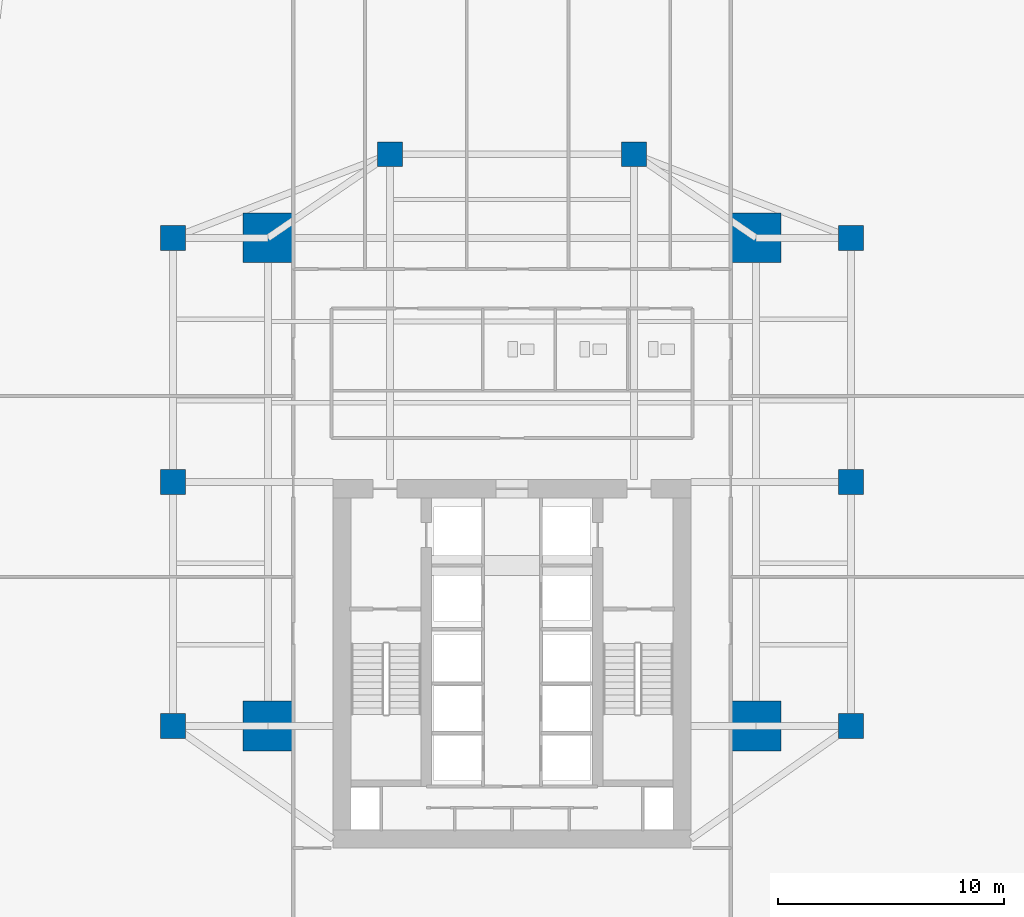
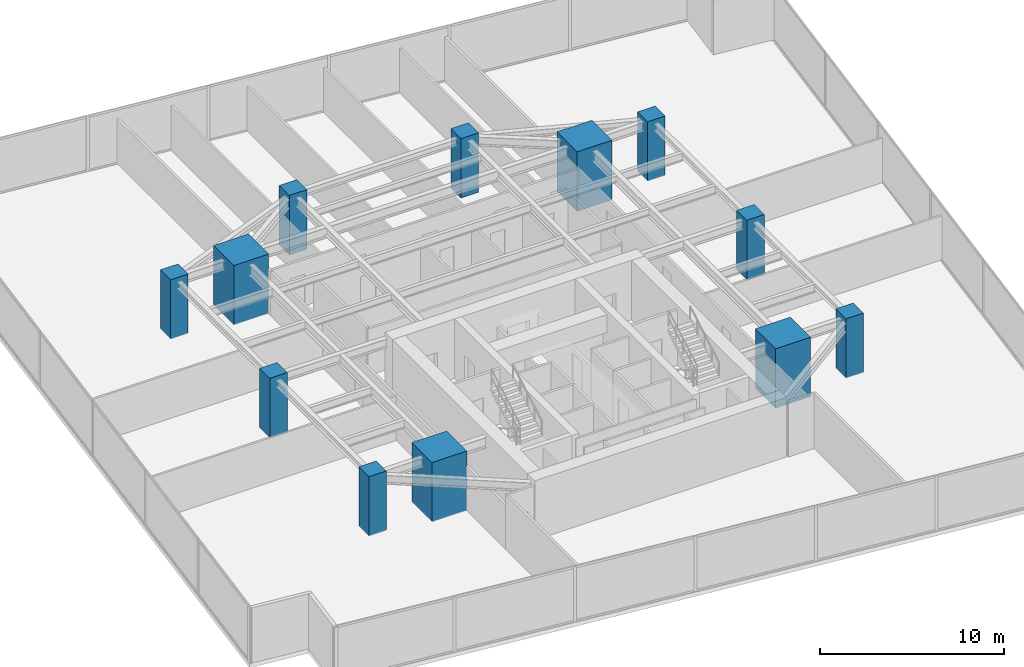
# One storey, part 1 of 31: 12 columns.
"""IFC4 building model written with IfcOpenShell, lengths in metres."""

from ifc_helpers import new_model, si_unit, direction, frame, origin, origin_2d, place, context, subcontext, project, spatial, rectangle, extrude, source, transform, mapped, material, material_profile, profile_set, type_object, type_shapes, element, save


model = new_model("IFC4")

# Units and contexts
model_context = context("Model", 3, precision=1e-05, world=origin(), true_north=direction((0.0, 1.0)))
body_context = subcontext(model_context, "Body", "Model", "MODEL_VIEW")
ifc_project = project(units=[si_unit("LENGTHUNIT", "METRE"), si_unit("AREAUNIT", "SQUARE_METRE"), si_unit("VOLUMEUNIT", "CUBIC_METRE"), si_unit("PLANEANGLEUNIT", "RADIAN"), si_unit("MASSUNIT", "GRAM", prefix="KILO")], contexts=[model_context])

# Site, building, storey
site_placement = place(None, origin())
site = spatial("IfcSite", under=ifc_project, at=site_placement, CompositionType="ELEMENT")
building_placement = place(site_placement, origin())
building = spatial("IfcBuilding", under=site, at=building_placement, Name="Krantzveldt Concourse Tower", CompositionType="ELEMENT")
storey_placement = place(building_placement, frame((0.0, 0.0, 56.60009765625)))
storey = spatial("IfcBuildingStorey", under=building, at=storey_placement, Name="L13", CompositionType="ELEMENT", Elevation=56.60009765625)

# Columns
ifc_material = material(Name="Concrete C60/75", Category="concrete")
ifc_material_profile_1 = material_profile(ifc_material, rectangle(XDim=2.199951171875, YDim=2.199951171875, at=origin_2d()), Name="Concrete C60/75", Category="concrete")
ifc_profile_set_1 = profile_set([ifc_material_profile_1], Name="Concrete C60/75 - RC 2200x2200")
column_type_1 = type_object("IfcColumnType", Name="COL-MC-2200", PredefinedType="USERDEFINED", material=ifc_profile_set_1)
shared_shape_1 = source(origin(), body_context, "Body", "SweptSolid", [
    extrude(rectangle(XDim=2.199951171875, YDim=2.199951171875, at=origin_2d()), origin(), (0.0, 0.0, 1.0), 3.949951171875),
])
type_shapes(column_type_1, [shared_shape_1])
for number, where, z_axis, x_axis, name in (
    (1, (25.199951171875, 15.89990234375, 0.0), (0.0, 0.0, 1.0), (1.0, 0.0, 0.0), "MC-SW-L13"),
    (2, (46.800048828125, 15.89990234375, 0.0), (0.0, 0.0, 1.0), (1.0, 0.0, 0.0), "MC-SE-L13"),
    (3, (46.800048828125, 37.5, 0.0), (0.0, 0.0, 1.0), (1.0, 0.0, 0.0), "MC-NE-L13"),
    (4, (25.199951171875, 37.5, 0.0), (0.0, 0.0, 1.0), (1.0, 0.0, 0.0), "MC-NW-L13"),
):
    element("IfcColumn", number, at=place(storey_placement, frame(where, z_axis=z_axis, x_axis=x_axis)), inside=storey, type_object=column_type_1, Name=name, ObjectType="MEGA COLUMN", PredefinedType="USERDEFINED", context=body_context, shape_type="MappedRepresentation", body=[
        mapped(shared_shape_1, transform((0.0, 0.0, 0.0), x_axis=(1.0, 0.0, 0.0), y_axis=(0.0, 1.0, 0.0), z_axis=(0.0, 0.0, 1.0), scale=1.0)),
    ])
ifc_material_profile_2 = material_profile(ifc_material, rectangle(XDim=1.10009765625, YDim=1.10009765625, at=origin_2d()), Name="Concrete C60/75", Category="concrete")
ifc_profile_set_2 = profile_set([ifc_material_profile_2], Name="Concrete C60/75 - RC 1100x1100")
column_type_2 = type_object("IfcColumnType", Name="COL-C-Z1", PredefinedType="COLUMN", material=ifc_profile_set_2)
shared_shape_2 = source(origin(), body_context, "Body", "SweptSolid", [
    extrude(rectangle(XDim=1.10009765625, YDim=1.10009765625, at=origin_2d()), origin(), (0.0, 0.0, 1.0), 3.949951171875),
])
type_shapes(column_type_2, [shared_shape_2])
for number, where, z_axis, x_axis, name in (
    (5, (21.0, 15.89990234375, 0.0), (0.0, 0.0, 1.0), (1.0, 0.0, 0.0), "PC-R01-L13"),
    (6, (21.0, 26.699951171875, 0.0), (0.0, 0.0, 1.0), (1.0, 0.0, 0.0), "PC-R02-L13"),
    (7, (21.0, 37.5, 0.0), (0.0, 0.0, 1.0), (1.0, 0.0, 0.0), "PC-R03-L13"),
    (8, (30.60009765625, 41.199951171875, 0.0), (0.0, 0.0, 1.0), (1.0, 0.0, 0.0), "PC-R04-L13"),
    (9, (41.39990234375, 41.199951171875, 0.0), (0.0, 0.0, 1.0), (1.0, 0.0, 0.0), "PC-R05-L13"),
    (10, (51.0, 37.5, 0.0), (0.0, 0.0, 1.0), (1.0, 0.0, 0.0), "PC-R06-L13"),
    (11, (51.0, 26.699951171875, 0.0), (0.0, 0.0, 1.0), (1.0, 0.0, 0.0), "PC-R07-L13"),
    (12, (51.0, 15.89990234375, 0.0), (0.0, 0.0, 1.0), (1.0, 0.0, 0.0), "PC-R08-L13"),
):
    element("IfcColumn", number, at=place(storey_placement, frame(where, z_axis=z_axis, x_axis=x_axis)), inside=storey, type_object=column_type_2, Name=name, PredefinedType="COLUMN", context=body_context, shape_type="MappedRepresentation", body=[
        mapped(shared_shape_2, transform((0.0, 0.0, 0.0), x_axis=(1.0, 0.0, 0.0), y_axis=(0.0, 1.0, 0.0), z_axis=(0.0, 0.0, 1.0), scale=1.0)),
    ])

save(model, "model.ifc")
